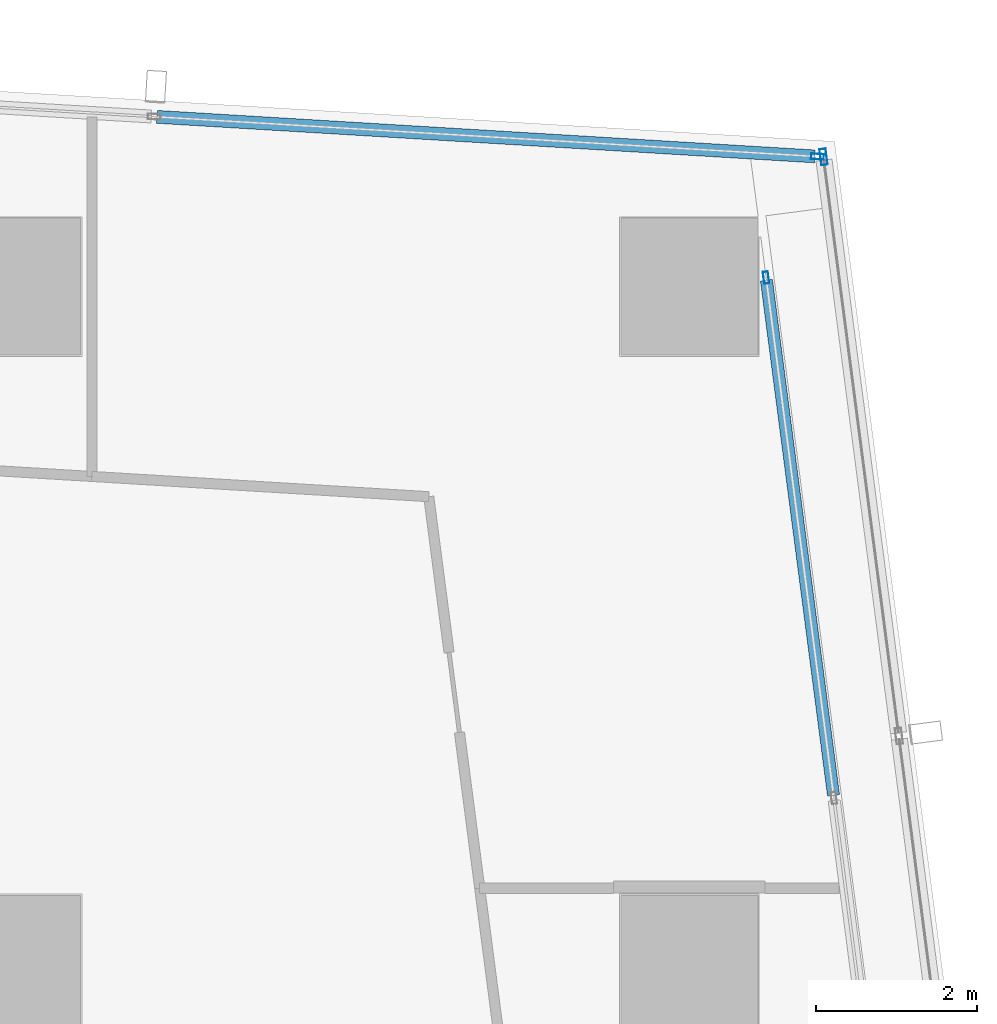
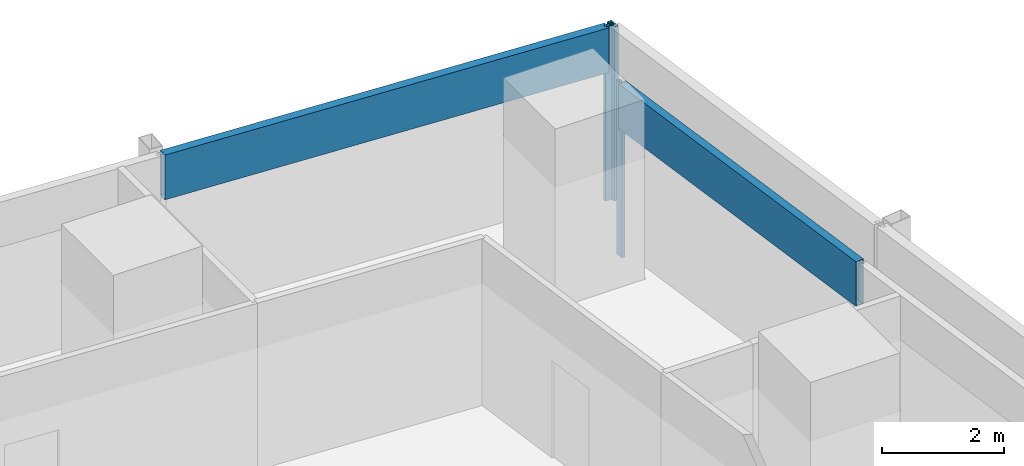
# One storey, part 20 of 40: 5 members, 3 elements without a shape of their own.
"""IFC4 building model written with IfcOpenShell, lengths in metres."""

from ifc_helpers import new_model, si_unit, direction, frame, origin, origin_2d, place, context, subcontext, project, spatial, hollow_rectangle, extrude, material, material_profile, profile_set, type_object, element, aggregate, save


model = new_model("IFC4")

# Units and contexts
model_context = context("Model", 3, precision=1e-05, world=origin(), true_north=direction((0.0, 1.0)))
body_context = subcontext(model_context, "Body", "Model", "MODEL_VIEW")
ifc_project = project(units=[si_unit("LENGTHUNIT", "METRE"), si_unit("AREAUNIT", "SQUARE_METRE"), si_unit("VOLUMEUNIT", "CUBIC_METRE"), si_unit("PLANEANGLEUNIT", "RADIAN"), si_unit("MASSUNIT", "GRAM", prefix="KILO")], contexts=[model_context])

# Site, building, storey
site_placement = place(None, origin())
site = spatial("IfcSite", under=ifc_project, at=site_placement, CompositionType="ELEMENT")
building_placement = place(site_placement, origin())
building = spatial("IfcBuilding", under=site, at=building_placement, Name="Rekha Terrace Tower", CompositionType="ELEMENT")
storey_placement = place(building_placement, frame((0.0, 0.0, 102.800048828125)))
storey = spatial("IfcBuildingStorey", under=building, at=storey_placement, Name="L25", CompositionType="ELEMENT", Elevation=102.800048828125)

# Curtain wall, members
ifc_material_1 = material(Name="Aluminium framing", Category="aluminium")
curtain_wall_type_1 = type_object("IfcCurtainWallType", Name="CW1 double skin inner glazing", PredefinedType="USERDEFINED", material=ifc_material_1)
curtain_wall_1_placement = place(storey_placement, origin())
curtain_wall_1 = element("IfcCurtainWall", 1, at=curtain_wall_1_placement, inside=storey, type_object=curtain_wall_type_1, Name="CW1 double skin inner glazing", ObjectType="DOUBLE SKIN INNER GLAZING", PredefinedType="USERDEFINED")
ifc_material_2 = material(Name="Aluminium mullion section", Category="aluminium")
ifc_material_profile_1 = material_profile(ifc_material_2, hollow_rectangle(XDim=0.06494140625, YDim=0.14990234375, WallThickness=0.00390625, at=origin_2d()), Name="AL RHS 65x150")
ifc_profile_set_1 = profile_set([ifc_material_profile_1], Name="Aluminium mullion section")
member_type_1 = type_object("IfcMemberType", Name="CW1 mullion RHS 65 x 150", PredefinedType="MULLION", material=ifc_profile_set_1)
member_1_placement = place(storey_placement, frame((68.15087890625, 58.910888671875, 0.0), z_axis=(0.0, 0.0, 1.0), x_axis=(-0.991629186237, -0.129118383675, 0.0)))
member_1 = element("IfcMember", 2, at=member_1_placement, type_object=member_type_1, Name="CW1 mullion 3", PredefinedType="MULLION", context=body_context, shape_type="SweptSolid", body=[
    extrude(hollow_rectangle(XDim=0.06494140625, YDim=0.14990234375, WallThickness=0.00390625, at=origin_2d()), origin(), (0.0, 0.0, 1.0), 3.5),
])
ifc_material_3 = material(Name="Insulated aluminium spandrel box", Category="aluminium")
ifc_material_profile_2 = material_profile(ifc_material_3, hollow_rectangle(XDim=0.14990234375, YDim=0.89990234375, WallThickness=0.0029296875, at=origin_2d()), Name="AL SPANDREL BOX 150x900")
ifc_profile_set_2 = profile_set([ifc_material_profile_2], Name="Insulated aluminium spandrel box")
member_type_2 = type_object("IfcMemberType", Name="CW1 spandrel transom 150 x 900", PredefinedType="USERDEFINED", material=ifc_profile_set_2)
member_2_placement = place(storey_placement, frame((68.987060546875, 52.48974609375, 3.050048828125), z_axis=(-0.129102663866, 0.991631232961, 0.0), x_axis=(-0.991631232961, -0.129102663866, 0.0)))
member_2 = element("IfcMember", 3, at=member_2_placement, type_object=member_type_2, Name="CW1 spandrel transom 2", ObjectType="TRANSOM", PredefinedType="USERDEFINED", context=body_context, shape_type="SweptSolid", body=[
    extrude(hollow_rectangle(XDim=0.14990234375, YDim=0.89990234375, WallThickness=0.0029296875, at=origin_2d()), origin(), (0.0, 0.0, 1.0), 6.44287109375),
])
aggregate(curtain_wall_1, [member_1, member_2])

# Curtain wall, member
curtain_wall_type_2 = type_object("IfcCurtainWallType", Name="CW2 double skin outer glazing", PredefinedType="USERDEFINED", material=ifc_material_1)
curtain_wall_2_placement = place(storey_placement, origin())
curtain_wall_2 = element("IfcCurtainWall", 4, at=curtain_wall_2_placement, inside=storey, type_object=curtain_wall_type_2, Name="CW2 double skin outer glazing", ObjectType="DOUBLE SKIN OUTER GLAZING", PredefinedType="USERDEFINED")
ifc_material_profile_3 = material_profile(ifc_material_2, hollow_rectangle(XDim=0.080078125, YDim=0.199951171875, WallThickness=0.00390625, at=origin_2d()), Name="AL RHS 80x200")
ifc_profile_set_3 = profile_set([ifc_material_profile_3], Name="Aluminium mullion section")
member_type_3 = type_object("IfcMemberType", Name="CW2 mullion RHS 80 x 200", PredefinedType="MULLION", material=ifc_profile_set_3)
member_3_placement = place(storey_placement, frame((68.863525390625, 60.408447265625, 0.0), z_axis=(0.0, 0.0, 1.0), x_axis=(-0.991629186244, -0.129118383623, 0.0)))
member_3 = element("IfcMember", 5, at=member_3_placement, type_object=member_type_3, Name="CW2 mullion 3", PredefinedType="MULLION", context=body_context, shape_type="SweptSolid", body=[
    extrude(hollow_rectangle(XDim=0.080078125, YDim=0.199951171875, WallThickness=0.00390625, at=origin_2d()), origin(), (0.0, 0.0, 1.0), 3.5),
])
aggregate(curtain_wall_2, [member_3])

# Curtain wall, members
curtain_wall_type_3 = type_object("IfcCurtainWallType", Name="CW3 north unitised glazing", PredefinedType="USERDEFINED", material=ifc_material_1)
curtain_wall_3_placement = place(storey_placement, origin())
curtain_wall_3 = element("IfcCurtainWall", 6, at=curtain_wall_3_placement, inside=storey, type_object=curtain_wall_type_3, Name="CW3 unitised curtain wall", ObjectType="UNITISED CURTAIN WALL", PredefinedType="USERDEFINED")
ifc_material_profile_4 = material_profile(ifc_material_2, hollow_rectangle(XDim=0.070068359375, YDim=0.159912109375, WallThickness=0.00390625, at=origin_2d()), Name="AL RHS 70x160")
ifc_profile_set_4 = profile_set([ifc_material_profile_4], Name="Aluminium mullion section")
member_type_4 = type_object("IfcMemberType", Name="CW3 mullion RHS 70 x 160", PredefinedType="MULLION", material=ifc_profile_set_4)
member_4_placement = place(storey_placement, frame((68.7880859375, 60.412353515625, 0.0), z_axis=(0.0, 0.0, 1.0), x_axis=(-0.059987926837, -0.998199102701, 0.0)))
member_4 = element("IfcMember", 7, at=member_4_placement, type_object=member_type_4, Name="CW3 mullion 1", PredefinedType="MULLION", context=body_context, shape_type="SweptSolid", body=[
    extrude(hollow_rectangle(XDim=0.070068359375, YDim=0.159912109375, WallThickness=0.00390625, at=origin_2d()), origin(), (0.0, 0.0, 1.0), 3.5),
])
ifc_material_profile_5 = material_profile(ifc_material_3, hollow_rectangle(XDim=0.159912109375, YDim=0.89990234375, WallThickness=0.0029296875, at=origin_2d()), Name="AL SPANDREL BOX 160x900")
ifc_profile_set_5 = profile_set([ifc_material_profile_5], Name="Insulated aluminium spandrel box")
member_type_5 = type_object("IfcMemberType", Name="CW3 spandrel transom 160 x 900", PredefinedType="USERDEFINED", material=ifc_profile_set_5)
member_5_placement = place(storey_placement, frame((68.753173828125, 60.41455078125, 3.050048828125), z_axis=(-0.998198874769, 0.05999171951, 0.0), x_axis=(-0.05999171951, -0.998198874769, 0.0)))
member_5 = element("IfcMember", 8, at=member_5_placement, type_object=member_type_5, Name="CW3 spandrel transom 1", ObjectType="TRANSOM", PredefinedType="USERDEFINED", context=body_context, shape_type="SweptSolid", body=[
    extrude(hollow_rectangle(XDim=0.159912109375, YDim=0.89990234375, WallThickness=0.0029296875, at=origin_2d()), origin(), (0.0, 0.0, 1.0), 8.171630859375),
])
aggregate(curtain_wall_3, [member_4, member_5])

save(model, "model.ifc")
